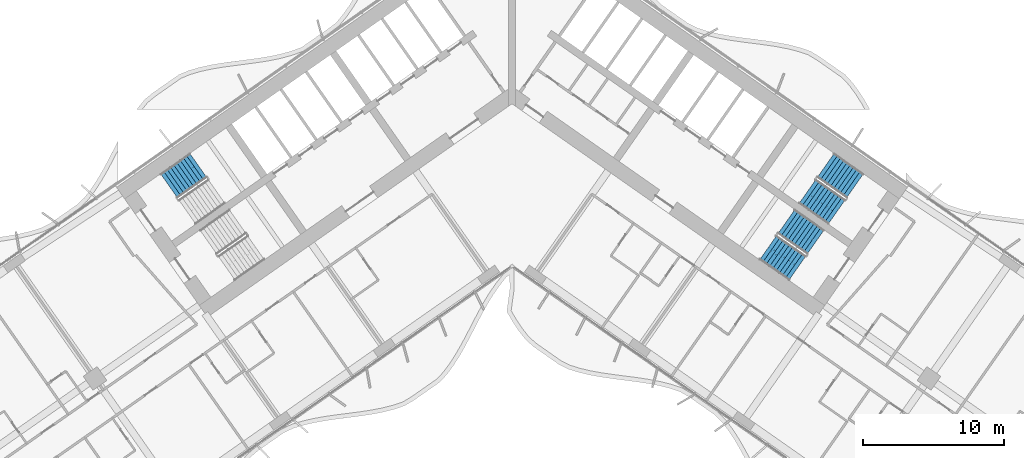
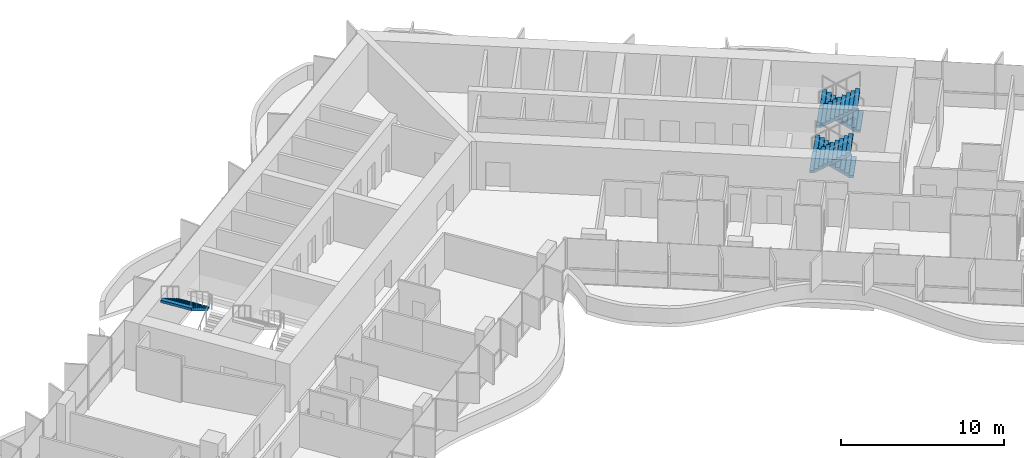
# One storey, part 18 of 24: 5 stair flights, 3 elements without a shape of their own.
"""IFC4 building model written with IfcOpenShell, lengths in metres."""

import ifcopenshell
import ifcopenshell.guid

model = None  # the IFC model being written
_history = None  # IfcOwnerHistory: only IFC2X3 demands one
_inside = {}  # id of a spatial element -> (the spatial element, [elements in it])
_under = {}  # id of a project, library or spatial element -> (it, [spatial elements below it])
_declared = {}  # id of a project -> (the project, [libraries it declares])
_typed = {}  # id of a type object -> (the type object, [elements of that type])
_made_of = {}  # id of a material, layer set ... -> (it, [elements and type objects made of it])


def new_model(schema):
    """Start an empty IFC model of exactly this schema.

    Asked for "IFC4X3", IfcOpenShell would pick the latest addendum, in which some entities
    have other attributes; the version numbers below select the first issue.
    IFC2X3 requires an IfcOwnerHistory on every rooted entity: one is made here for all.
    """
    global model, _history
    if schema == "IFC4X3":
        model = ifcopenshell.file(schema_version=(4, 3, 0, 0))
    else:
        model = ifcopenshell.file(schema=schema)
    _inside.clear()
    _under.clear()
    _declared.clear()
    _typed.clear()
    _made_of.clear()
    _history = None
    if model.schema == "IFC2X3":
        org = make("IfcOrganization", Name="unknown")
        user = make(
            "IfcPersonAndOrganization",
            ThePerson=make("IfcPerson", FamilyName="unknown"),
            TheOrganization=org,
        )
        app = make(
            "IfcApplication",
            ApplicationDeveloper=org,
            Version="unknown",
            ApplicationFullName="unknown",
            ApplicationIdentifier="unknown",
        )
        _history = make(
            "IfcOwnerHistory",
            OwningUser=user,
            OwningApplication=app,
            ChangeAction="ADDED",
            CreationDate=0,
        )
    return model


def make(cls, **values):
    """One entity of the class cls with the attributes given. An attribute that is None is left unset."""
    return model.create_entity(
        cls, **{name: value for name, value in values.items() if value is not None}
    )


def rooted(cls, **values):
    """An entity with a GlobalId (a new one), such as an element, a storey or a relation."""
    return make(cls, GlobalId=ifcopenshell.guid.new(), OwnerHistory=_history, **values)


def si_unit(unit_type, name, prefix=None):
    """IfcSIUnit, for example si_unit("LENGTHUNIT", "METRE", prefix="MILLI")."""
    return make("IfcSIUnit", UnitType=unit_type, Prefix=prefix, Name=name)


def assignment(units):
    """IfcUnitAssignment: the units of a project."""
    return None if units is None else make("IfcUnitAssignment", Units=units)


def point(xyz):
    """IfcCartesianPoint."""
    return None if xyz is None else make("IfcCartesianPoint", Coordinates=xyz)


def direction(xyz):
    """IfcDirection."""
    return None if xyz is None else make("IfcDirection", DirectionRatios=xyz)


def frame(location, z_axis=None, x_axis=None):
    """IfcAxis2Placement3D, a coordinate frame: its origin and axes. An axis left out is left unset."""
    return make(
        "IfcAxis2Placement3D",
        Location=point(location),
        Axis=direction(z_axis),
        RefDirection=direction(x_axis),
    )


def origin():
    """The frame at (0, 0, 0) with its axes left unset."""
    return frame((0.0, 0.0, 0.0))


def place(relative_to, where):
    """IfcLocalPlacement: puts the frame where relative to a parent placement (None: the world)."""
    return make(
        "IfcLocalPlacement", PlacementRelTo=relative_to, RelativePlacement=where
    )


def context(
    kind, dimensions, precision=None, world=None, true_north=None, identifier=None
):
    """IfcGeometricRepresentationContext, for example the 3D "Model" context."""
    return make(
        "IfcGeometricRepresentationContext",
        ContextIdentifier=identifier,
        ContextType=kind,
        CoordinateSpaceDimension=dimensions,
        Precision=precision,
        WorldCoordinateSystem=world,
        TrueNorth=true_north,
    )


def subcontext(parent, identifier, kind, view, scale=None):
    """IfcGeometricRepresentationSubContext, for example "Body" below "Model"."""
    return make(
        "IfcGeometricRepresentationSubContext",
        ContextIdentifier=identifier,
        ContextType=kind,
        ParentContext=parent,
        TargetScale=scale,
        TargetView=view,
    )


def project(units=None, contexts=None):
    """IfcProject with its units and contexts."""
    return rooted(
        "IfcProject",
        Name="project",
        RepresentationContexts=contexts,
        UnitsInContext=assignment(units),
    )


def spatial(cls, under=None, at=None, **own):
    """A site, building, storey or space (cls), placed at a placement, below another one or the project."""
    s = rooted(cls, ObjectPlacement=at, **own)
    if under is not None:
        _under.setdefault(under.id(), (under, []))[1].append(s)
    return s


def polyline(points):
    """IfcPolyline through the points."""
    return make("IfcPolyline", Points=[point(p) for p in points])


def outline(outer, holes=None, kind="AREA"):
    """IfcArbitraryClosedProfileDef: a profile drawn as a closed curve; with holes, ...WithVoids."""
    if holes is None:
        return make("IfcArbitraryClosedProfileDef", ProfileType=kind, OuterCurve=outer)
    return make(
        "IfcArbitraryProfileDefWithVoids",
        ProfileType=kind,
        OuterCurve=outer,
        InnerCurves=holes,
    )


def extrude(swept, where, along, depth):
    """IfcExtrudedAreaSolid: the profile swept, set in the frame where, extruded along a direction by depth."""
    return make(
        "IfcExtrudedAreaSolid",
        SweptArea=swept,
        Position=where,
        ExtrudedDirection=direction(along),
        Depth=depth,
    )


def shape(context_of_items, identifier, shape_type, items):
    """IfcShapeRepresentation: the items that make up one representation, for example the "Body"."""
    return make(
        "IfcShapeRepresentation",
        ContextOfItems=context_of_items,
        RepresentationIdentifier=identifier,
        RepresentationType=shape_type,
        Items=items,
    )


def material(Name=None, Category=None):
    """IfcMaterial."""
    return make("IfcMaterial", Name=Name, Category=Category)


def made_of(thing, what):
    """Note that an element or type object is made of a material, layer set ...; save() writes the relation."""
    if what is not None:
        _made_of.setdefault(what.id(), (what, []))[1].append(thing)
    return thing


def type_object(cls, material=None, **own):
    """A type object (cls), such as IfcWallType, which elements share."""
    return made_of(rooted(cls, **own), material)


def element(
    cls,
    number,
    at=None,
    inside=None,
    cuts=None,
    type_object=None,
    material=None,
    context=None,
    identifier="Body",
    shape_type=None,
    held_by="IfcProductDefinitionShape",
    body=None,
    shapes=None,
    **own,
):
    """One element of the class cls, such as IfcWall. Its Tag is "e" and its number.

    at: its placement. inside: the storey or other place that contains it. cuts: it is an
    opening in that element (IfcRelVoidsElement). A single representation is given by context,
    identifier, shape_type and body (its items); several are given by shapes. held_by: the class
    of the entity that holds the representations. save() writes the other relations.
    """
    e = rooted(cls, Tag="e%d" % number, ObjectPlacement=at, **own)
    if body is not None:
        shapes = [shape(context, identifier, shape_type, body)]
    if shapes is not None:
        e.Representation = make(held_by, Representations=shapes)
    if inside is not None:
        _inside.setdefault(inside.id(), (inside, []))[1].append(e)
    if cuts is not None:
        rooted(
            "IfcRelVoidsElement", RelatingBuildingElement=cuts, RelatedOpeningElement=e
        )
    if type_object is not None:
        _typed.setdefault(type_object.id(), (type_object, []))[1].append(e)
    return made_of(e, material)


def aggregate(whole, parts):
    """IfcRelAggregates: a whole, such as a stair, and the parts it consists of."""
    return rooted("IfcRelAggregates", RelatingObject=whole, RelatedObjects=parts)


def save(model, path):
    """Write the relations noted so far, then the file.

    IfcRelAggregates (storeys below a building ...), IfcRelContainedInSpatialStructure (elements
    in a storey), IfcRelDefinesByType, IfcRelAssociatesMaterial and IfcRelDeclares: one each for
    every whole, place, type object, material and project.
    """
    for whole, parts in _under.values():
        aggregate(whole, parts)
    for where, things in _inside.values():
        rooted(
            "IfcRelContainedInSpatialStructure",
            RelatedElements=things,
            RelatingStructure=where,
        )
    for kind, things in _typed.values():
        rooted("IfcRelDefinesByType", RelatedObjects=things, RelatingType=kind)
    for what, things in _made_of.values():
        rooted("IfcRelAssociatesMaterial", RelatedObjects=things, RelatingMaterial=what)
    for by, libraries in _declared.values():
        rooted("IfcRelDeclares", RelatingContext=by, RelatedDefinitions=libraries)
    model.write(path)


model = new_model("IFC4")

# Units and contexts
model_context = context("Model", 3, precision=1e-05, world=origin(), true_north=direction((0.0, 1.0)))
body_context = subcontext(model_context, "Body", "Model", "MODEL_VIEW")
ifc_project = project(units=[si_unit("LENGTHUNIT", "METRE"), si_unit("AREAUNIT", "SQUARE_METRE"), si_unit("VOLUMEUNIT", "CUBIC_METRE"), si_unit("PLANEANGLEUNIT", "RADIAN"), si_unit("MASSUNIT", "GRAM", prefix="KILO")], contexts=[model_context])

# Site, building, storey
site_placement = place(None, origin())
site = spatial("IfcSite", under=ifc_project, at=site_placement, CompositionType="ELEMENT")
building_placement = place(site_placement, origin())
building = spatial("IfcBuilding", under=site, at=building_placement, Name="Tel Ilan Convention Tower", CompositionType="ELEMENT")
storey_placement = place(building_placement, frame((0.0, 0.0, 68.89990234375)))
storey = spatial("IfcBuildingStorey", under=building, at=storey_placement, Name="L12", CompositionType="ELEMENT", Elevation=68.89990234375)

# Stair, stair flight
ifc_material_1 = material(Name="Concrete C40/50", Category="concrete")
stair_type = type_object("IfcStairType", Name="Pressurised Exit Stair 20 risers 180 mm", PredefinedType="HALF_TURN_STAIR", material=ifc_material_1)
stair_1_placement = place(storey_placement, origin())
stair_1 = element("IfcStair", 1, at=stair_1_placement, inside=storey, type_object=stair_type, Name="L12 Pressurised Stair S1", PredefinedType="HALF_TURN_STAIR")
ifc_material_2 = material(Name="Precast Concrete C40/50", Category="concrete")
stair_flight_type = type_object("IfcStairFlightType", Name="Concrete Stair Flight 2100 mm 20 risers 180 mm", PredefinedType="STRAIGHT", material=ifc_material_2)
stair_flight_1_placement = place(storey_placement, frame((-22.188232421875, -5.5869140625, 1.800048828125), z_axis=(0.0, 0.0, 1.0), x_axis=(-0.819152044289, -0.573576436351, 0.0)))
stair_flight_1 = element("IfcStairFlight", 2, at=stair_flight_1_placement, type_object=stair_flight_type, Name="S1 flight 2", NumberOfRisers=10, NumberOfTreads=9, PredefinedType="STRAIGHT", RiserHeight=0.18, TreadLength=0.28, context=body_context, shape_type="SweptSolid", body=[
    extrude(outline(polyline([(0.0, 0.0), (0.0, 0.179931640625), (0.280029296875, 0.179931640625), (0.280029296875, 0.360107421875), (0.56005859375, 0.360107421875), (0.56005859375, 0.5400390625), (0.840087890625, 0.5400390625), (0.840087890625, 0.719970703125), (1.1201171875, 0.719970703125), (1.1201171875, 0.89990234375), (1.39990234375, 0.89990234375), (1.39990234375, 1.080078125), (1.679931640625, 1.080078125), (1.679931640625, 1.260009765625), (1.9599609375, 1.260009765625), (1.9599609375, 1.43994140625), (2.239990234375, 1.43994140625), (2.239990234375, 1.6201171875), (2.52001953125, 1.6201171875), (2.52001953125, 1.800048828125), (2.52001953125, 1.44189453125), (0.277099609375, 0.0), (0.0, 0.0)])), frame((0.0, -0.100341796875, 0.0), z_axis=(0.0, -1.0, 0.0), x_axis=(1.0, 0.0, 0.0)), (0.0, 0.0, 1.0), 0.94970703125),
    extrude(outline(polyline([(0.0, 0.0), (0.0, 0.179931640625), (0.280029296875, 0.179931640625), (0.280029296875, 0.360107421875), (0.56005859375, 0.360107421875), (0.56005859375, 0.5400390625), (0.840087890625, 0.5400390625), (0.840087890625, 0.719970703125), (1.1201171875, 0.719970703125), (1.1201171875, 0.89990234375), (1.39990234375, 0.89990234375), (1.39990234375, 1.080078125), (1.679931640625, 1.080078125), (1.679931640625, 1.260009765625), (1.9599609375, 1.260009765625), (1.9599609375, 1.43994140625), (2.239990234375, 1.43994140625), (2.239990234375, 1.6201171875), (2.52001953125, 1.6201171875), (2.52001953125, 1.800048828125), (2.52001953125, 1.44189453125), (0.277099609375, 0.0), (0.0, 0.0)])), frame((0.0, -0.000244140625, 0.0), z_axis=(0.0, -1.0, 0.0), x_axis=(1.0, 0.0, 0.0)), (0.0, 0.0, 1.0), 0.099609375),
    extrude(outline(polyline([(0.0, 0.0), (0.0, 0.179931640625), (0.280029296875, 0.179931640625), (0.280029296875, 0.360107421875), (0.56005859375, 0.360107421875), (0.56005859375, 0.5400390625), (0.840087890625, 0.5400390625), (0.840087890625, 0.719970703125), (1.1201171875, 0.719970703125), (1.1201171875, 0.89990234375), (1.39990234375, 0.89990234375), (1.39990234375, 1.080078125), (1.679931640625, 1.080078125), (1.679931640625, 1.260009765625), (1.9599609375, 1.260009765625), (1.9599609375, 1.43994140625), (2.239990234375, 1.43994140625), (2.239990234375, 1.6201171875), (2.52001953125, 1.6201171875), (2.52001953125, 1.800048828125), (2.52001953125, 1.44189453125), (0.277099609375, 0.0), (0.0, 0.0)])), frame((0.0, 0.099853515625, 0.0), z_axis=(0.0, -1.0, 0.0), x_axis=(1.0, 0.0, 0.0)), (0.0, 0.0, 1.0), 0.099609375),
    extrude(outline(polyline([(0.0, 0.0), (0.0, 0.179931640625), (0.280029296875, 0.179931640625), (0.280029296875, 0.360107421875), (0.56005859375, 0.360107421875), (0.56005859375, 0.5400390625), (0.840087890625, 0.5400390625), (0.840087890625, 0.719970703125), (1.1201171875, 0.719970703125), (1.1201171875, 0.89990234375), (1.39990234375, 0.89990234375), (1.39990234375, 1.080078125), (1.679931640625, 1.080078125), (1.679931640625, 1.260009765625), (1.9599609375, 1.260009765625), (1.9599609375, 1.43994140625), (2.239990234375, 1.43994140625), (2.239990234375, 1.6201171875), (2.52001953125, 1.6201171875), (2.52001953125, 1.800048828125), (2.52001953125, 1.44189453125), (0.277099609375, 0.0), (0.0, 0.0)])), frame((0.0, 1.050048828125, 0.0), z_axis=(0.0, -1.0, 0.0), x_axis=(1.0, 0.0, 0.0)), (0.0, 0.0, 1.0), 0.94970703125),
])
aggregate(stair_1, [stair_flight_1])

# Stair, stair flights
stair_2_placement = place(storey_placement, origin())
stair_2 = element("IfcStair", 3, at=stair_2_placement, inside=storey, type_object=stair_type, Name="L12 Pressurised Stair S3", PredefinedType="HALF_TURN_STAIR")
stair_flight_2_placement = place(storey_placement, frame((24.25244140625, -7.032470703125, 0.0), z_axis=(0.0, 0.0, 1.0), x_axis=(-0.819152044289, 0.573576436351, 0.0)))
stair_flight_2 = element("IfcStairFlight", 4, at=stair_flight_2_placement, type_object=stair_flight_type, Name="S3 flight 1", NumberOfRisers=10, NumberOfTreads=9, PredefinedType="STRAIGHT", RiserHeight=0.18, TreadLength=0.28, context=body_context, shape_type="SweptSolid", body=[
    extrude(outline(polyline([(0.0, 0.0), (0.0, 0.179931640625), (0.280029296875, 0.179931640625), (0.280029296875, 0.360107421875), (0.56005859375, 0.360107421875), (0.56005859375, 0.5400390625), (0.840087890625, 0.5400390625), (0.840087890625, 0.719970703125), (1.1201171875, 0.719970703125), (1.1201171875, 0.89990234375), (1.39990234375, 0.89990234375), (1.39990234375, 1.080078125), (1.679931640625, 1.080078125), (1.679931640625, 1.260009765625), (1.9599609375, 1.260009765625), (1.9599609375, 1.43994140625), (2.239990234375, 1.43994140625), (2.239990234375, 1.6201171875), (2.52001953125, 1.6201171875), (2.52001953125, 1.800048828125), (2.52001953125, 1.44189453125), (0.277099609375, 0.0), (0.0, 0.0)])), frame((0.0, -0.100341796875, 0.0), z_axis=(0.0, -1.0, 0.0), x_axis=(1.0, 0.0, 0.0)), (0.0, 0.0, 1.0), 0.94970703125),
    extrude(outline(polyline([(0.0, 0.0), (0.0, 0.179931640625), (0.280029296875, 0.179931640625), (0.280029296875, 0.360107421875), (0.56005859375, 0.360107421875), (0.56005859375, 0.5400390625), (0.840087890625, 0.5400390625), (0.840087890625, 0.719970703125), (1.1201171875, 0.719970703125), (1.1201171875, 0.89990234375), (1.39990234375, 0.89990234375), (1.39990234375, 1.080078125), (1.679931640625, 1.080078125), (1.679931640625, 1.260009765625), (1.9599609375, 1.260009765625), (1.9599609375, 1.43994140625), (2.239990234375, 1.43994140625), (2.239990234375, 1.6201171875), (2.52001953125, 1.6201171875), (2.52001953125, 1.800048828125), (2.52001953125, 1.44189453125), (0.277099609375, 0.0), (0.0, 0.0)])), frame((0.0, -0.000244140625, 0.0), z_axis=(0.0, -1.0, 0.0), x_axis=(1.0, 0.0, 0.0)), (0.0, 0.0, 1.0), 0.099609375),
    extrude(outline(polyline([(0.0, 0.0), (0.0, 0.179931640625), (0.280029296875, 0.179931640625), (0.280029296875, 0.360107421875), (0.56005859375, 0.360107421875), (0.56005859375, 0.5400390625), (0.840087890625, 0.5400390625), (0.840087890625, 0.719970703125), (1.1201171875, 0.719970703125), (1.1201171875, 0.89990234375), (1.39990234375, 0.89990234375), (1.39990234375, 1.080078125), (1.679931640625, 1.080078125), (1.679931640625, 1.260009765625), (1.9599609375, 1.260009765625), (1.9599609375, 1.43994140625), (2.239990234375, 1.43994140625), (2.239990234375, 1.6201171875), (2.52001953125, 1.6201171875), (2.52001953125, 1.800048828125), (2.52001953125, 1.44189453125), (0.277099609375, 0.0), (0.0, 0.0)])), frame((0.0, 0.099853515625, 0.0), z_axis=(0.0, -1.0, 0.0), x_axis=(1.0, 0.0, 0.0)), (0.0, 0.0, 1.0), 0.099609375),
    extrude(outline(polyline([(0.0, 0.0), (0.0, 0.179931640625), (0.280029296875, 0.179931640625), (0.280029296875, 0.360107421875), (0.56005859375, 0.360107421875), (0.56005859375, 0.5400390625), (0.840087890625, 0.5400390625), (0.840087890625, 0.719970703125), (1.1201171875, 0.719970703125), (1.1201171875, 0.89990234375), (1.39990234375, 0.89990234375), (1.39990234375, 1.080078125), (1.679931640625, 1.080078125), (1.679931640625, 1.260009765625), (1.9599609375, 1.260009765625), (1.9599609375, 1.43994140625), (2.239990234375, 1.43994140625), (2.239990234375, 1.6201171875), (2.52001953125, 1.6201171875), (2.52001953125, 1.800048828125), (2.52001953125, 1.44189453125), (0.277099609375, 0.0), (0.0, 0.0)])), frame((0.0, 1.050048828125, 0.0), z_axis=(0.0, -1.0, 0.0), x_axis=(1.0, 0.0, 0.0)), (0.0, 0.0, 1.0), 0.94970703125),
])
stair_flight_3_placement = place(storey_placement, frame((20.8974609375, -7.43017578125, 1.800048828125), z_axis=(0.0, 0.0, 1.0), x_axis=(0.819152044289, -0.573576436351, 0.0)))
stair_flight_3 = element("IfcStairFlight", 5, at=stair_flight_3_placement, type_object=stair_flight_type, Name="S3 flight 2", NumberOfRisers=10, NumberOfTreads=9, PredefinedType="STRAIGHT", RiserHeight=0.18, TreadLength=0.28, context=body_context, shape_type="SweptSolid", body=[
    extrude(outline(polyline([(0.0, 0.0), (0.0, 0.179931640625), (0.280029296875, 0.179931640625), (0.280029296875, 0.360107421875), (0.56005859375, 0.360107421875), (0.56005859375, 0.5400390625), (0.840087890625, 0.5400390625), (0.840087890625, 0.719970703125), (1.1201171875, 0.719970703125), (1.1201171875, 0.89990234375), (1.39990234375, 0.89990234375), (1.39990234375, 1.080078125), (1.679931640625, 1.080078125), (1.679931640625, 1.260009765625), (1.9599609375, 1.260009765625), (1.9599609375, 1.43994140625), (2.239990234375, 1.43994140625), (2.239990234375, 1.6201171875), (2.52001953125, 1.6201171875), (2.52001953125, 1.800048828125), (2.52001953125, 1.44189453125), (0.277099609375, 0.0), (0.0, 0.0)])), frame((0.0, -0.100341796875, 0.0), z_axis=(0.0, -1.0, 0.0), x_axis=(1.0, 0.0, 0.0)), (0.0, 0.0, 1.0), 0.94970703125),
    extrude(outline(polyline([(0.0, 0.0), (0.0, 0.179931640625), (0.280029296875, 0.179931640625), (0.280029296875, 0.360107421875), (0.56005859375, 0.360107421875), (0.56005859375, 0.5400390625), (0.840087890625, 0.5400390625), (0.840087890625, 0.719970703125), (1.1201171875, 0.719970703125), (1.1201171875, 0.89990234375), (1.39990234375, 0.89990234375), (1.39990234375, 1.080078125), (1.679931640625, 1.080078125), (1.679931640625, 1.260009765625), (1.9599609375, 1.260009765625), (1.9599609375, 1.43994140625), (2.239990234375, 1.43994140625), (2.239990234375, 1.6201171875), (2.52001953125, 1.6201171875), (2.52001953125, 1.800048828125), (2.52001953125, 1.44189453125), (0.277099609375, 0.0), (0.0, 0.0)])), frame((0.0, -0.000244140625, 0.0), z_axis=(0.0, -1.0, 0.0), x_axis=(1.0, 0.0, 0.0)), (0.0, 0.0, 1.0), 0.099609375),
    extrude(outline(polyline([(0.0, 0.0), (0.0, 0.179931640625), (0.280029296875, 0.179931640625), (0.280029296875, 0.360107421875), (0.56005859375, 0.360107421875), (0.56005859375, 0.5400390625), (0.840087890625, 0.5400390625), (0.840087890625, 0.719970703125), (1.1201171875, 0.719970703125), (1.1201171875, 0.89990234375), (1.39990234375, 0.89990234375), (1.39990234375, 1.080078125), (1.679931640625, 1.080078125), (1.679931640625, 1.260009765625), (1.9599609375, 1.260009765625), (1.9599609375, 1.43994140625), (2.239990234375, 1.43994140625), (2.239990234375, 1.6201171875), (2.52001953125, 1.6201171875), (2.52001953125, 1.800048828125), (2.52001953125, 1.44189453125), (0.277099609375, 0.0), (0.0, 0.0)])), frame((0.0, 0.099853515625, 0.0), z_axis=(0.0, -1.0, 0.0), x_axis=(1.0, 0.0, 0.0)), (0.0, 0.0, 1.0), 0.099609375),
    extrude(outline(polyline([(0.0, 0.0), (0.0, 0.179931640625), (0.280029296875, 0.179931640625), (0.280029296875, 0.360107421875), (0.56005859375, 0.360107421875), (0.56005859375, 0.5400390625), (0.840087890625, 0.5400390625), (0.840087890625, 0.719970703125), (1.1201171875, 0.719970703125), (1.1201171875, 0.89990234375), (1.39990234375, 0.89990234375), (1.39990234375, 1.080078125), (1.679931640625, 1.080078125), (1.679931640625, 1.260009765625), (1.9599609375, 1.260009765625), (1.9599609375, 1.43994140625), (2.239990234375, 1.43994140625), (2.239990234375, 1.6201171875), (2.52001953125, 1.6201171875), (2.52001953125, 1.800048828125), (2.52001953125, 1.44189453125), (0.277099609375, 0.0), (0.0, 0.0)])), frame((0.0, 1.050048828125, 0.0), z_axis=(0.0, -1.0, 0.0), x_axis=(1.0, 0.0, 0.0)), (0.0, 0.0, 1.0), 0.94970703125),
])
aggregate(stair_2, [stair_flight_2, stair_flight_3])

stair_3_placement = place(storey_placement, origin())
stair_3 = element("IfcStair", 6, at=stair_3_placement, inside=storey, type_object=stair_type, Name="L12 Pressurised Stair S4", PredefinedType="HALF_TURN_STAIR")
stair_flight_4_placement = place(storey_placement, frame((21.470458984375, -11.00537109375, 0.0), z_axis=(0.0, 0.0, 1.0), x_axis=(-0.819152044289, 0.573576436351, 0.0)))
stair_flight_4 = element("IfcStairFlight", 7, at=stair_flight_4_placement, type_object=stair_flight_type, Name="S4 flight 1", NumberOfRisers=10, NumberOfTreads=9, PredefinedType="STRAIGHT", RiserHeight=0.18, TreadLength=0.28, context=body_context, shape_type="SweptSolid", body=[
    extrude(outline(polyline([(0.0, 0.0), (0.0, 0.179931640625), (0.280029296875, 0.179931640625), (0.280029296875, 0.360107421875), (0.56005859375, 0.360107421875), (0.56005859375, 0.5400390625), (0.840087890625, 0.5400390625), (0.840087890625, 0.719970703125), (1.1201171875, 0.719970703125), (1.1201171875, 0.89990234375), (1.39990234375, 0.89990234375), (1.39990234375, 1.080078125), (1.679931640625, 1.080078125), (1.679931640625, 1.260009765625), (1.9599609375, 1.260009765625), (1.9599609375, 1.43994140625), (2.239990234375, 1.43994140625), (2.239990234375, 1.6201171875), (2.52001953125, 1.6201171875), (2.52001953125, 1.800048828125), (2.52001953125, 1.44189453125), (0.277099609375, 0.0), (0.0, 0.0)])), frame((0.0, -0.100341796875, 0.0), z_axis=(0.0, -1.0, 0.0), x_axis=(1.0, 0.0, 0.0)), (0.0, 0.0, 1.0), 0.94970703125),
    extrude(outline(polyline([(0.0, 0.0), (0.0, 0.179931640625), (0.280029296875, 0.179931640625), (0.280029296875, 0.360107421875), (0.56005859375, 0.360107421875), (0.56005859375, 0.5400390625), (0.840087890625, 0.5400390625), (0.840087890625, 0.719970703125), (1.1201171875, 0.719970703125), (1.1201171875, 0.89990234375), (1.39990234375, 0.89990234375), (1.39990234375, 1.080078125), (1.679931640625, 1.080078125), (1.679931640625, 1.260009765625), (1.9599609375, 1.260009765625), (1.9599609375, 1.43994140625), (2.239990234375, 1.43994140625), (2.239990234375, 1.6201171875), (2.52001953125, 1.6201171875), (2.52001953125, 1.800048828125), (2.52001953125, 1.44189453125), (0.277099609375, 0.0), (0.0, 0.0)])), frame((0.0, -0.000244140625, 0.0), z_axis=(0.0, -1.0, 0.0), x_axis=(1.0, 0.0, 0.0)), (0.0, 0.0, 1.0), 0.099609375),
    extrude(outline(polyline([(0.0, 0.0), (0.0, 0.179931640625), (0.280029296875, 0.179931640625), (0.280029296875, 0.360107421875), (0.56005859375, 0.360107421875), (0.56005859375, 0.5400390625), (0.840087890625, 0.5400390625), (0.840087890625, 0.719970703125), (1.1201171875, 0.719970703125), (1.1201171875, 0.89990234375), (1.39990234375, 0.89990234375), (1.39990234375, 1.080078125), (1.679931640625, 1.080078125), (1.679931640625, 1.260009765625), (1.9599609375, 1.260009765625), (1.9599609375, 1.43994140625), (2.239990234375, 1.43994140625), (2.239990234375, 1.6201171875), (2.52001953125, 1.6201171875), (2.52001953125, 1.800048828125), (2.52001953125, 1.44189453125), (0.277099609375, 0.0), (0.0, 0.0)])), frame((0.0, 0.099853515625, 0.0), z_axis=(0.0, -1.0, 0.0), x_axis=(1.0, 0.0, 0.0)), (0.0, 0.0, 1.0), 0.099609375),
    extrude(outline(polyline([(0.0, 0.0), (0.0, 0.179931640625), (0.280029296875, 0.179931640625), (0.280029296875, 0.360107421875), (0.56005859375, 0.360107421875), (0.56005859375, 0.5400390625), (0.840087890625, 0.5400390625), (0.840087890625, 0.719970703125), (1.1201171875, 0.719970703125), (1.1201171875, 0.89990234375), (1.39990234375, 0.89990234375), (1.39990234375, 1.080078125), (1.679931640625, 1.080078125), (1.679931640625, 1.260009765625), (1.9599609375, 1.260009765625), (1.9599609375, 1.43994140625), (2.239990234375, 1.43994140625), (2.239990234375, 1.6201171875), (2.52001953125, 1.6201171875), (2.52001953125, 1.800048828125), (2.52001953125, 1.44189453125), (0.277099609375, 0.0), (0.0, 0.0)])), frame((0.0, 1.050048828125, 0.0), z_axis=(0.0, -1.0, 0.0), x_axis=(1.0, 0.0, 0.0)), (0.0, 0.0, 1.0), 0.94970703125),
])
stair_flight_5_placement = place(storey_placement, frame((18.11572265625, -11.403076171875, 1.800048828125), z_axis=(0.0, 0.0, 1.0), x_axis=(0.819152044289, -0.573576436351, 0.0)))
stair_flight_5 = element("IfcStairFlight", 8, at=stair_flight_5_placement, type_object=stair_flight_type, Name="S4 flight 2", NumberOfRisers=10, NumberOfTreads=9, PredefinedType="STRAIGHT", RiserHeight=0.18, TreadLength=0.28, context=body_context, shape_type="SweptSolid", body=[
    extrude(outline(polyline([(0.0, 0.0), (0.0, 0.179931640625), (0.280029296875, 0.179931640625), (0.280029296875, 0.360107421875), (0.56005859375, 0.360107421875), (0.56005859375, 0.5400390625), (0.840087890625, 0.5400390625), (0.840087890625, 0.719970703125), (1.1201171875, 0.719970703125), (1.1201171875, 0.89990234375), (1.39990234375, 0.89990234375), (1.39990234375, 1.080078125), (1.679931640625, 1.080078125), (1.679931640625, 1.260009765625), (1.9599609375, 1.260009765625), (1.9599609375, 1.43994140625), (2.239990234375, 1.43994140625), (2.239990234375, 1.6201171875), (2.52001953125, 1.6201171875), (2.52001953125, 1.800048828125), (2.52001953125, 1.44189453125), (0.277099609375, 0.0), (0.0, 0.0)])), frame((0.0, -0.100341796875, 0.0), z_axis=(0.0, -1.0, 0.0), x_axis=(1.0, 0.0, 0.0)), (0.0, 0.0, 1.0), 0.94970703125),
    extrude(outline(polyline([(0.0, 0.0), (0.0, 0.179931640625), (0.280029296875, 0.179931640625), (0.280029296875, 0.360107421875), (0.56005859375, 0.360107421875), (0.56005859375, 0.5400390625), (0.840087890625, 0.5400390625), (0.840087890625, 0.719970703125), (1.1201171875, 0.719970703125), (1.1201171875, 0.89990234375), (1.39990234375, 0.89990234375), (1.39990234375, 1.080078125), (1.679931640625, 1.080078125), (1.679931640625, 1.260009765625), (1.9599609375, 1.260009765625), (1.9599609375, 1.43994140625), (2.239990234375, 1.43994140625), (2.239990234375, 1.6201171875), (2.52001953125, 1.6201171875), (2.52001953125, 1.800048828125), (2.52001953125, 1.44189453125), (0.277099609375, 0.0), (0.0, 0.0)])), frame((0.0, -0.000244140625, 0.0), z_axis=(0.0, -1.0, 0.0), x_axis=(1.0, 0.0, 0.0)), (0.0, 0.0, 1.0), 0.099609375),
    extrude(outline(polyline([(0.0, 0.0), (0.0, 0.179931640625), (0.280029296875, 0.179931640625), (0.280029296875, 0.360107421875), (0.56005859375, 0.360107421875), (0.56005859375, 0.5400390625), (0.840087890625, 0.5400390625), (0.840087890625, 0.719970703125), (1.1201171875, 0.719970703125), (1.1201171875, 0.89990234375), (1.39990234375, 0.89990234375), (1.39990234375, 1.080078125), (1.679931640625, 1.080078125), (1.679931640625, 1.260009765625), (1.9599609375, 1.260009765625), (1.9599609375, 1.43994140625), (2.239990234375, 1.43994140625), (2.239990234375, 1.6201171875), (2.52001953125, 1.6201171875), (2.52001953125, 1.800048828125), (2.52001953125, 1.44189453125), (0.277099609375, 0.0), (0.0, 0.0)])), frame((0.0, 0.099853515625, 0.0), z_axis=(0.0, -1.0, 0.0), x_axis=(1.0, 0.0, 0.0)), (0.0, 0.0, 1.0), 0.099609375),
    extrude(outline(polyline([(0.0, 0.0), (0.0, 0.179931640625), (0.280029296875, 0.179931640625), (0.280029296875, 0.360107421875), (0.56005859375, 0.360107421875), (0.56005859375, 0.5400390625), (0.840087890625, 0.5400390625), (0.840087890625, 0.719970703125), (1.1201171875, 0.719970703125), (1.1201171875, 0.89990234375), (1.39990234375, 0.89990234375), (1.39990234375, 1.080078125), (1.679931640625, 1.080078125), (1.679931640625, 1.260009765625), (1.9599609375, 1.260009765625), (1.9599609375, 1.43994140625), (2.239990234375, 1.43994140625), (2.239990234375, 1.6201171875), (2.52001953125, 1.6201171875), (2.52001953125, 1.800048828125), (2.52001953125, 1.44189453125), (0.277099609375, 0.0), (0.0, 0.0)])), frame((0.0, 1.050048828125, 0.0), z_axis=(0.0, -1.0, 0.0), x_axis=(1.0, 0.0, 0.0)), (0.0, 0.0, 1.0), 0.94970703125),
])
aggregate(stair_3, [stair_flight_4, stair_flight_5])

save(model, "model.ifc")
